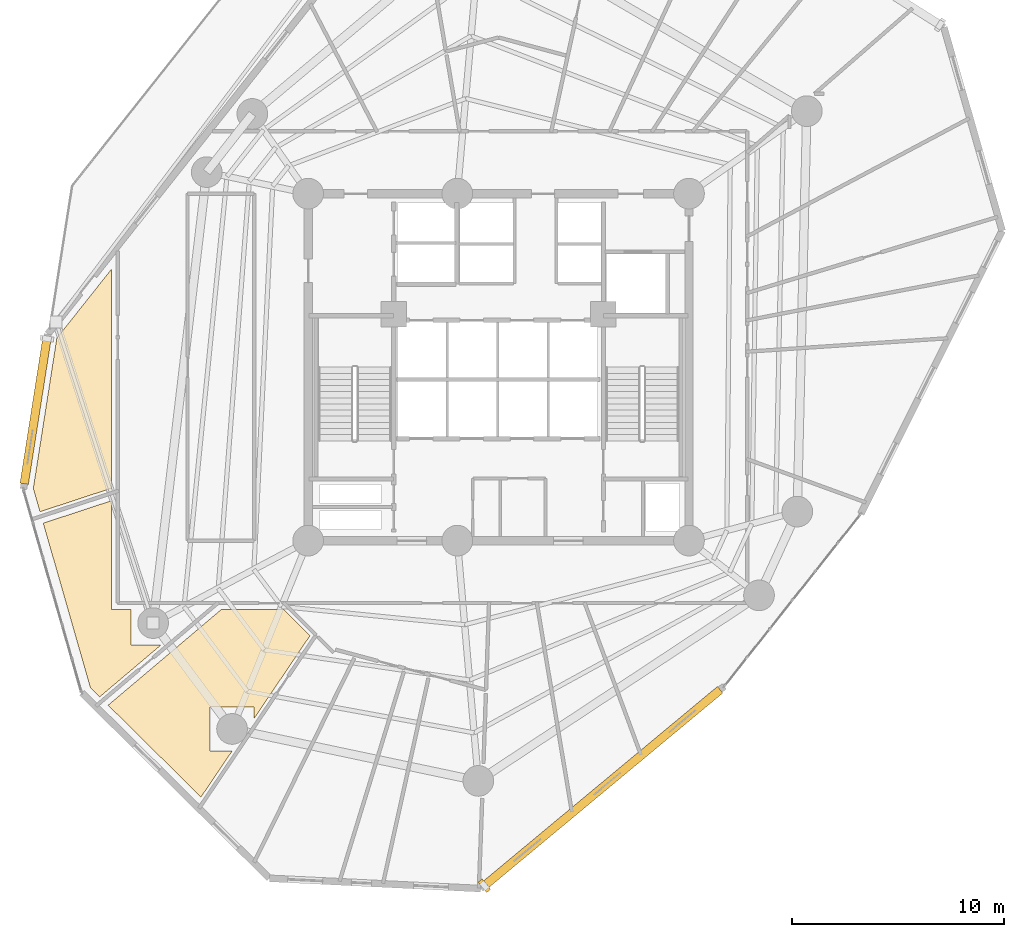
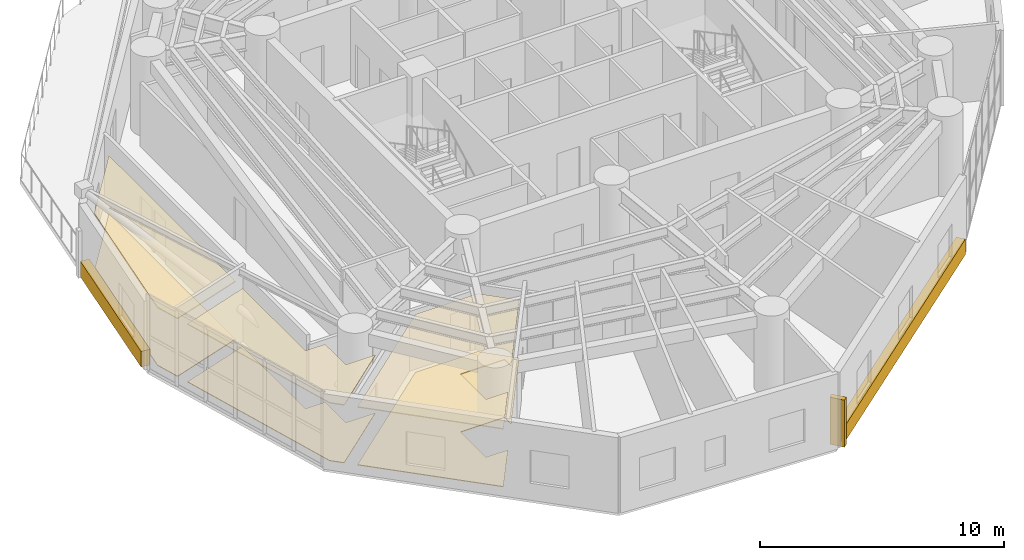
# One storey, part 12 of 14: 8 coverings, 1 shading device.
"""IFC4 building model written with IfcOpenShell, lengths in metres."""

from ifc_helpers import new_model, si_unit, direction, frame, origin, origin_with_axes, origin_2d, place, context, subcontext, project, spatial, polyline, rectangle, outline, extrude, source, transform, mapped, material, layer, layer_set, type_object, element, save


model = new_model("IFC4")

# Units and contexts
model_context = context("Model", 3, precision=1e-05, world=origin(), true_north=direction((0.0, 1.0)))
body_context = subcontext(model_context, "Body", "Model", "MODEL_VIEW")
ifc_project = project(units=[si_unit("LENGTHUNIT", "METRE"), si_unit("AREAUNIT", "SQUARE_METRE"), si_unit("VOLUMEUNIT", "CUBIC_METRE"), si_unit("PLANEANGLEUNIT", "RADIAN"), si_unit("MASSUNIT", "GRAM", prefix="KILO")], contexts=[model_context])

# Site, building, storey
site_placement = place(None, origin())
site = spatial("IfcSite", under=ifc_project, at=site_placement, CompositionType="ELEMENT")
building_placement = place(site_placement, origin())
building = spatial("IfcBuilding", under=site, at=building_placement, Name="Karkom Vertical University and Central Library", CompositionType="ELEMENT")
storey_placement = place(building_placement, frame((0.0, 0.0, 92.199951171875)))
storey = spatial("IfcBuildingStorey", under=building, at=storey_placement, Name="L24", CompositionType="ELEMENT", Elevation=92.199951171875)

# Coverings
ifc_material_1 = material(Name="Perforated mineral-fibre & timber-slat acoustic ceiling", Category="wood")
ifc_layer_1 = layer(ifc_material_1, 0.044921875)
ifc_layer_set_1 = layer_set([ifc_layer_1], Name="Perforated mineral-fibre & timber-slat acoustic ceiling")
covering_type_1 = type_object("IfcCoveringType", Name="INT-COV-CEIL", PredefinedType="CEILING", material=ifc_layer_set_1)
covering_1_placement = place(storey_placement, frame((0.0, 0.0, 2.880126953125)))
element("IfcCovering", 1, at=covering_1_placement, inside=storey, type_object=covering_type_1, Name="Level 24 Suspended Acoustic Ceiling L24-01", PredefinedType="CEILING", context=body_context, shape_type="SweptSolid", body=[
    extrude(outline(polyline([(7.621826171875, 27.8720703125), (10.199951171875, 31.125), (10.199951171875, 20.77490234375), (6.826171875, 19.6650390625), (6.509521484375, 20.7705078125), (7.621826171875, 27.8720703125)])), origin(), (0.0, 0.0, 1.0), 0.044921875),
])
covering_2_placement = place(storey_placement, frame((0.0, 0.0, 2.880126953125)))
element("IfcCovering", 2, at=covering_2_placement, inside=storey, type_object=covering_type_1, Name="Level 24 Suspended Acoustic Ceiling L24-02", PredefinedType="CEILING", context=body_context, shape_type="SweptSolid", body=[
    extrude(outline(polyline([(9.646240234375, 10.915771484375), (9.208740234375, 11.34814453125), (6.98046875, 19.126220703125), (10.199951171875, 20.185302734375), (10.199951171875, 15.050048828125), (11.132080078125, 15.050048828125), (11.132080078125, 13.363037109375), (12.538818359375, 13.363037109375), (9.646240234375, 10.915771484375)])), origin(), (0.0, 0.0, 1.0), 0.044921875),
])
covering_3_placement = place(storey_placement, frame((0.0, 0.0, 2.880126953125)))
element("IfcCovering", 3, at=covering_3_placement, inside=storey, type_object=covering_type_1, Name="Level 24 Suspended Acoustic Ceiling L24-03", PredefinedType="CEILING", context=body_context, shape_type="SweptSolid", body=[
    extrude(outline(polyline([(14.435791015625, 6.180908203125), (10.046142578125, 10.5205078125), (15.39990234375, 15.050048828125), (18.352294921875, 15.050048828125), (19.590576171875, 13.811767578125), (16.944091796875, 9.89404296875), (16.944091796875, 10.43896484375), (14.864013671875, 10.43896484375), (14.864013671875, 8.35888671875), (15.906982421875, 8.35888671875), (14.435791015625, 6.180908203125)])), origin(), (0.0, 0.0, 1.0), 0.044921875),
])
ifc_material_2 = material(Name="Honed Kota limestone & terrazzo flooring", Category="masonry")
ifc_layer_2 = layer(ifc_material_2, 0.030029296875)
ifc_layer_set_2 = layer_set([ifc_layer_2], Name="Honed Kota limestone & terrazzo flooring")
covering_type_2 = type_object("IfcCoveringType", Name="INT-COV-FLOOR", PredefinedType="FLOORING", material=ifc_layer_set_2)
covering_4_placement = place(storey_placement, origin())
element("IfcCovering", 4, at=covering_4_placement, inside=storey, type_object=covering_type_2, Name="Level 24 Kota Stone Floor Finish L24-01", PredefinedType="FLOORING", context=body_context, shape_type="SweptSolid", body=[
    extrude(outline(polyline([(7.621826171875, 27.8720703125), (10.199951171875, 31.125), (10.199951171875, 20.77490234375), (6.826171875, 19.6650390625), (6.509521484375, 20.7705078125), (7.621826171875, 27.8720703125)])), origin(), (0.0, 0.0, 1.0), 0.030029296875),
])
covering_5_placement = place(storey_placement, origin())
element("IfcCovering", 5, at=covering_5_placement, inside=storey, type_object=covering_type_2, Name="Level 24 Kota Stone Floor Finish L24-02", PredefinedType="FLOORING", context=body_context, shape_type="SweptSolid", body=[
    extrude(outline(polyline([(9.646240234375, 10.915771484375), (9.208740234375, 11.34814453125), (6.98046875, 19.126220703125), (10.199951171875, 20.185302734375), (10.199951171875, 15.050048828125), (11.132080078125, 15.050048828125), (11.132080078125, 13.363037109375), (12.538818359375, 13.363037109375), (9.646240234375, 10.915771484375)])), origin(), (0.0, 0.0, 1.0), 0.030029296875),
])
covering_6_placement = place(storey_placement, origin())
element("IfcCovering", 6, at=covering_6_placement, inside=storey, type_object=covering_type_2, Name="Level 24 Kota Stone Floor Finish L24-03", PredefinedType="FLOORING", context=body_context, shape_type="SweptSolid", body=[
    extrude(outline(polyline([(14.435791015625, 6.180908203125), (10.046142578125, 10.5205078125), (15.39990234375, 15.050048828125), (18.352294921875, 15.050048828125), (19.590576171875, 13.811767578125), (16.944091796875, 9.89404296875), (16.944091796875, 10.43896484375), (14.864013671875, 10.43896484375), (14.864013671875, 8.35888671875), (15.906982421875, 8.35888671875), (14.435791015625, 6.180908203125)])), origin(), (0.0, 0.0, 1.0), 0.030029296875),
])

# Shading device
ifc_material_3 = material(Name="Terracotta-clad precast concrete sun-breaker fin C45/55", Category="masonry")
shading_device_type = type_object("IfcShadingDeviceType", Name="ENV-SHD-BRISE", PredefinedType="USERDEFINED", material=ifc_material_3)
shared_shape_1 = source(origin_with_axes(), body_context, "Body", "SweptSolid", [
    extrude(rectangle(XDim=0.239990234375, YDim=0.639892578125, at=origin_2d()), origin(), (0.0, 0.0, 1.0), 2.35009765625),
])
shading_device_placement = place(storey_placement, frame((27.830078125, 1.990478515625, 0.0), z_axis=(0.0, 0.0, 1.0), x_axis=(0.769064991547, 0.639170586601, 0.0)))
element("IfcShadingDevice", 7, at=shading_device_placement, inside=storey, type_object=shading_device_type, Name="Level 24 Brutalist Brise-Soleil Fin 05", ObjectType="BRISE SOLEIL", PredefinedType="USERDEFINED", context=body_context, shape_type="MappedRepresentation", body=[
    mapped(shared_shape_1, transform((0.0, 0.0, 0.0), scale=1.0)),
])

# Coverings
ifc_material_4 = material(Name="Hand-pressed red-ochre terracotta brick slip cladding", Category="masonry")
ifc_layer_3 = layer(ifc_material_4, 0.090087890625)
ifc_layer_set_3 = layer_set([ifc_layer_3], Name="Hand-pressed red-ochre terracotta brick slip cladding")
covering_type_3 = type_object("IfcCoveringType", Name="ENV-COV-CLAD", PredefinedType="CLADDING", material=ifc_layer_set_3)
shared_shape_2 = source(origin_with_axes(), body_context, "Body", "SweptSolid", [
    extrude(rectangle(XDim=6.910888671875, YDim=0.39990234375, at=origin_2d()), origin(), (0.0, 0.0, 1.0), 0.780029296875),
])
covering_7_placement = place(storey_placement, frame((6.61279296875, 24.402099609375, 0.0), z_axis=(0.0, 0.0, 1.0), x_axis=(-0.154710386299, -0.987959865769, 0.0)))
element("IfcCovering", 8, at=covering_7_placement, inside=storey, type_object=covering_type_3, Name="Level 24 Terracotta Spandrel Cladding 01", PredefinedType="CLADDING", context=body_context, shape_type="MappedRepresentation", body=[
    mapped(shared_shape_2, transform((0.0, 0.0, 0.0), scale=1.0)),
])
shared_shape_3 = source(origin_with_axes(), body_context, "Body", "SweptSolid", [
    extrude(rectangle(XDim=14.458984375, YDim=0.39990234375, at=origin_2d()), origin(), (0.0, 0.0, 1.0), 0.780029296875),
])
covering_8_placement = place(storey_placement, frame((33.413330078125, 6.630615234375, 0.0), z_axis=(0.0, 0.0, 1.0), x_axis=(0.769064991547, 0.639170586601, 0.0)))
element("IfcCovering", 9, at=covering_8_placement, inside=storey, type_object=covering_type_3, Name="Level 24 Terracotta Spandrel Cladding 05", PredefinedType="CLADDING", context=body_context, shape_type="MappedRepresentation", body=[
    mapped(shared_shape_3, transform((0.0, 0.0, 0.0), scale=1.0)),
])

save(model, "model.ifc")
